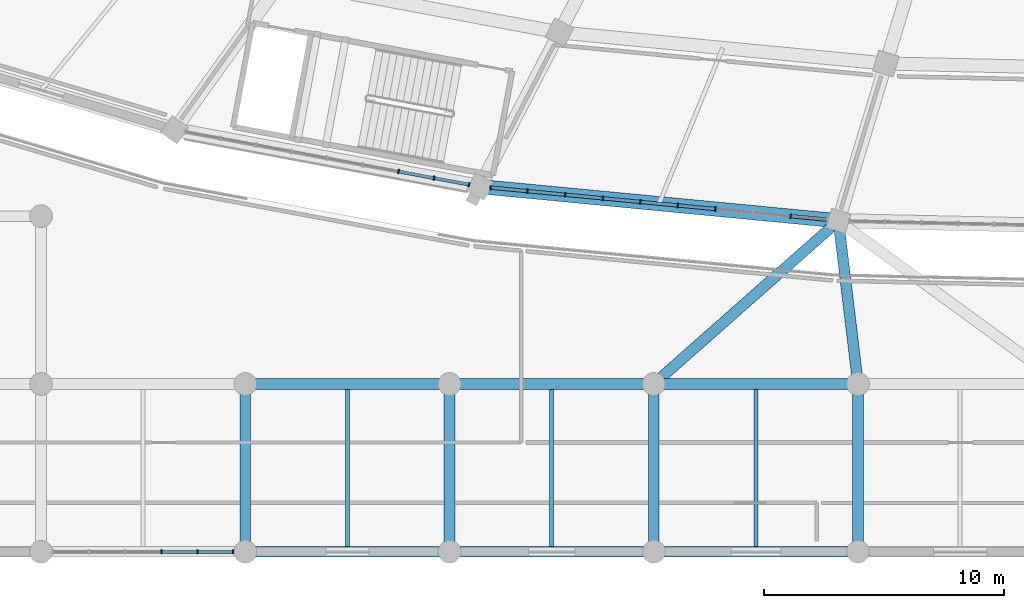
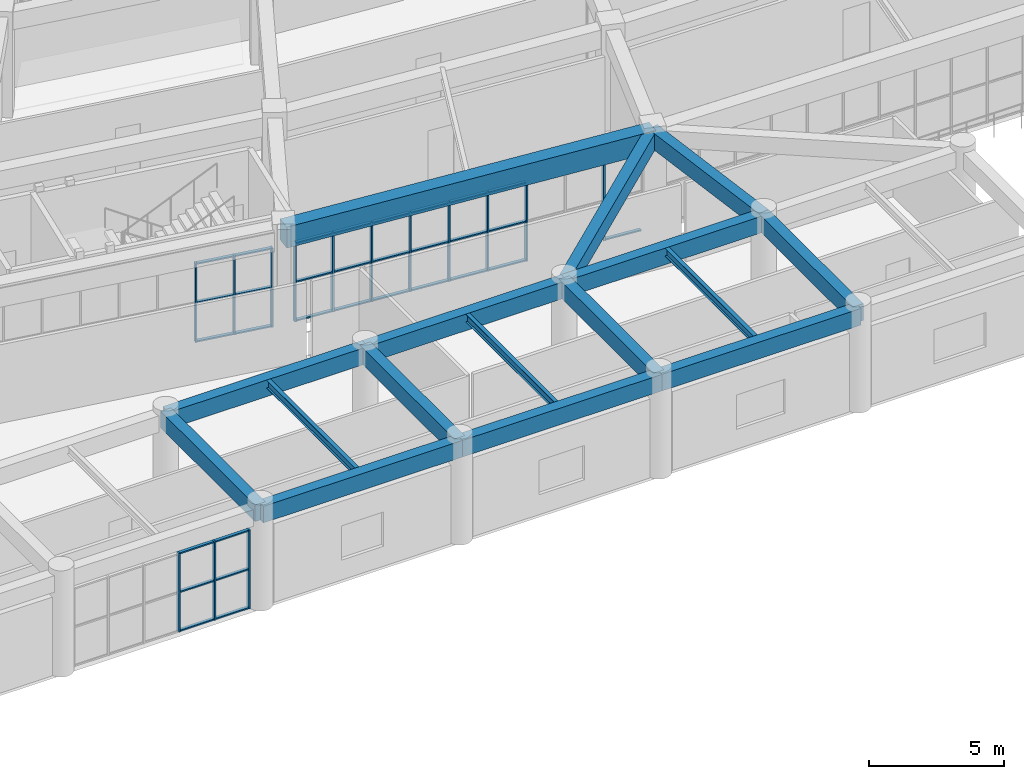
# One storey, part 21 of 152: 45 members, 16 beams, 3 elements without a shape of their own.
"""IFC4 building model written with IfcOpenShell, lengths in metres."""

import ifcopenshell
import ifcopenshell.guid

model = None  # the IFC model being written
_history = None  # IfcOwnerHistory: only IFC2X3 demands one
_inside = {}  # id of a spatial element -> (the spatial element, [elements in it])
_under = {}  # id of a project, library or spatial element -> (it, [spatial elements below it])
_declared = {}  # id of a project -> (the project, [libraries it declares])
_typed = {}  # id of a type object -> (the type object, [elements of that type])
_made_of = {}  # id of a material, layer set ... -> (it, [elements and type objects made of it])


def new_model(schema):
    """Start an empty IFC model of exactly this schema.

    Asked for "IFC4X3", IfcOpenShell would pick the latest addendum, in which some entities
    have other attributes; the version numbers below select the first issue.
    IFC2X3 requires an IfcOwnerHistory on every rooted entity: one is made here for all.
    """
    global model, _history
    if schema == "IFC4X3":
        model = ifcopenshell.file(schema_version=(4, 3, 0, 0))
    else:
        model = ifcopenshell.file(schema=schema)
    _inside.clear()
    _under.clear()
    _declared.clear()
    _typed.clear()
    _made_of.clear()
    _history = None
    if model.schema == "IFC2X3":
        org = make("IfcOrganization", Name="unknown")
        user = make(
            "IfcPersonAndOrganization",
            ThePerson=make("IfcPerson", FamilyName="unknown"),
            TheOrganization=org,
        )
        app = make(
            "IfcApplication",
            ApplicationDeveloper=org,
            Version="unknown",
            ApplicationFullName="unknown",
            ApplicationIdentifier="unknown",
        )
        _history = make(
            "IfcOwnerHistory",
            OwningUser=user,
            OwningApplication=app,
            ChangeAction="ADDED",
            CreationDate=0,
        )
    return model


def make(cls, **values):
    """One entity of the class cls with the attributes given. An attribute that is None is left unset."""
    return model.create_entity(
        cls, **{name: value for name, value in values.items() if value is not None}
    )


def rooted(cls, **values):
    """An entity with a GlobalId (a new one), such as an element, a storey or a relation."""
    return make(cls, GlobalId=ifcopenshell.guid.new(), OwnerHistory=_history, **values)


def si_unit(unit_type, name, prefix=None):
    """IfcSIUnit, for example si_unit("LENGTHUNIT", "METRE", prefix="MILLI")."""
    return make("IfcSIUnit", UnitType=unit_type, Prefix=prefix, Name=name)


def assignment(units):
    """IfcUnitAssignment: the units of a project."""
    return None if units is None else make("IfcUnitAssignment", Units=units)


def point(xyz):
    """IfcCartesianPoint."""
    return None if xyz is None else make("IfcCartesianPoint", Coordinates=xyz)


def direction(xyz):
    """IfcDirection."""
    return None if xyz is None else make("IfcDirection", DirectionRatios=xyz)


def frame(location, z_axis=None, x_axis=None):
    """IfcAxis2Placement3D, a coordinate frame: its origin and axes. An axis left out is left unset."""
    return make(
        "IfcAxis2Placement3D",
        Location=point(location),
        Axis=direction(z_axis),
        RefDirection=direction(x_axis),
    )


def frame_2d(location, x_axis=None):
    """IfcAxis2Placement2D, a coordinate frame in the plane: its origin and x axis."""
    return make(
        "IfcAxis2Placement2D", Location=point(location), RefDirection=direction(x_axis)
    )


def origin():
    """The frame at (0, 0, 0) with its axes left unset."""
    return frame((0.0, 0.0, 0.0))


def origin_2d():
    """The frame at (0, 0) in the plane with its x axis left unset."""
    return frame_2d((0.0, 0.0))


def place(relative_to, where):
    """IfcLocalPlacement: puts the frame where relative to a parent placement (None: the world)."""
    return make(
        "IfcLocalPlacement", PlacementRelTo=relative_to, RelativePlacement=where
    )


def context(
    kind, dimensions, precision=None, world=None, true_north=None, identifier=None
):
    """IfcGeometricRepresentationContext, for example the 3D "Model" context."""
    return make(
        "IfcGeometricRepresentationContext",
        ContextIdentifier=identifier,
        ContextType=kind,
        CoordinateSpaceDimension=dimensions,
        Precision=precision,
        WorldCoordinateSystem=world,
        TrueNorth=true_north,
    )


def subcontext(parent, identifier, kind, view, scale=None):
    """IfcGeometricRepresentationSubContext, for example "Body" below "Model"."""
    return make(
        "IfcGeometricRepresentationSubContext",
        ContextIdentifier=identifier,
        ContextType=kind,
        ParentContext=parent,
        TargetScale=scale,
        TargetView=view,
    )


def project(units=None, contexts=None):
    """IfcProject with its units and contexts."""
    return rooted(
        "IfcProject",
        Name="project",
        RepresentationContexts=contexts,
        UnitsInContext=assignment(units),
    )


def spatial(cls, under=None, at=None, **own):
    """A site, building, storey or space (cls), placed at a placement, below another one or the project."""
    s = rooted(cls, ObjectPlacement=at, **own)
    if under is not None:
        _under.setdefault(under.id(), (under, []))[1].append(s)
    return s


def profile(cls, at=None, kind="AREA", **sizes):
    """A parametric profile (cls). Its sizes go by their IFC names, for example OverallWidth=200.0."""
    return make(cls, ProfileType=kind, Position=at, **sizes)


def rectangle(**sizes):
    """IfcRectangleProfileDef."""
    return profile("IfcRectangleProfileDef", **sizes)


def i_section(**sizes):
    """IfcIShapeProfileDef."""
    return profile("IfcIShapeProfileDef", **sizes)


def extrude(swept, where, along, depth):
    """IfcExtrudedAreaSolid: the profile swept, set in the frame where, extruded along a direction by depth."""
    return make(
        "IfcExtrudedAreaSolid",
        SweptArea=swept,
        Position=where,
        ExtrudedDirection=direction(along),
        Depth=depth,
    )


def shape(context_of_items, identifier, shape_type, items):
    """IfcShapeRepresentation: the items that make up one representation, for example the "Body"."""
    return make(
        "IfcShapeRepresentation",
        ContextOfItems=context_of_items,
        RepresentationIdentifier=identifier,
        RepresentationType=shape_type,
        Items=items,
    )


def material(Name=None, Category=None):
    """IfcMaterial."""
    return make("IfcMaterial", Name=Name, Category=Category)


def layer(
    of_material, thickness, ventilated=None, Name=None, Category=None, Priority=None
):
    """IfcMaterialLayer: one layer of a wall or slab, of a material (None: an air gap)."""
    return make(
        "IfcMaterialLayer",
        Material=of_material,
        LayerThickness=thickness,
        IsVentilated=ventilated,
        Name=Name,
        Category=Category,
        Priority=Priority,
    )


def layer_set(layers, Name=None):
    """IfcMaterialLayerSet."""
    return make("IfcMaterialLayerSet", MaterialLayers=layers, LayerSetName=Name)


def material_profile(
    of_material, cross_section, Name=None, Category=None, Priority=None
):
    """IfcMaterialProfile: a cross section and its material."""
    return make(
        "IfcMaterialProfile",
        Name=Name,
        Material=of_material,
        Profile=cross_section,
        Priority=Priority,
        Category=Category,
    )


def profile_set(profiles, Name=None, composite=None):
    """IfcMaterialProfileSet."""
    return make(
        "IfcMaterialProfileSet",
        Name=Name,
        MaterialProfiles=profiles,
        CompositeProfile=composite,
    )


def made_of(thing, what):
    """Note that an element or type object is made of a material, layer set ...; save() writes the relation."""
    if what is not None:
        _made_of.setdefault(what.id(), (what, []))[1].append(thing)
    return thing


def type_object(cls, material=None, **own):
    """A type object (cls), such as IfcWallType, which elements share."""
    return made_of(rooted(cls, **own), material)


def element(
    cls,
    number,
    at=None,
    inside=None,
    cuts=None,
    type_object=None,
    material=None,
    context=None,
    identifier="Body",
    shape_type=None,
    held_by="IfcProductDefinitionShape",
    body=None,
    shapes=None,
    **own,
):
    """One element of the class cls, such as IfcWall. Its Tag is "e" and its number.

    at: its placement. inside: the storey or other place that contains it. cuts: it is an
    opening in that element (IfcRelVoidsElement). A single representation is given by context,
    identifier, shape_type and body (its items); several are given by shapes. held_by: the class
    of the entity that holds the representations. save() writes the other relations.
    """
    e = rooted(cls, Tag="e%d" % number, ObjectPlacement=at, **own)
    if body is not None:
        shapes = [shape(context, identifier, shape_type, body)]
    if shapes is not None:
        e.Representation = make(held_by, Representations=shapes)
    if inside is not None:
        _inside.setdefault(inside.id(), (inside, []))[1].append(e)
    if cuts is not None:
        rooted(
            "IfcRelVoidsElement", RelatingBuildingElement=cuts, RelatedOpeningElement=e
        )
    if type_object is not None:
        _typed.setdefault(type_object.id(), (type_object, []))[1].append(e)
    return made_of(e, material)


def aggregate(whole, parts):
    """IfcRelAggregates: a whole, such as a stair, and the parts it consists of."""
    return rooted("IfcRelAggregates", RelatingObject=whole, RelatedObjects=parts)


def save(model, path):
    """Write the relations noted so far, then the file.

    IfcRelAggregates (storeys below a building ...), IfcRelContainedInSpatialStructure (elements
    in a storey), IfcRelDefinesByType, IfcRelAssociatesMaterial and IfcRelDeclares: one each for
    every whole, place, type object, material and project.
    """
    for whole, parts in _under.values():
        aggregate(whole, parts)
    for where, things in _inside.values():
        rooted(
            "IfcRelContainedInSpatialStructure",
            RelatedElements=things,
            RelatingStructure=where,
        )
    for kind, things in _typed.values():
        rooted("IfcRelDefinesByType", RelatedObjects=things, RelatingType=kind)
    for what, things in _made_of.values():
        rooted("IfcRelAssociatesMaterial", RelatedObjects=things, RelatingMaterial=what)
    for by, libraries in _declared.values():
        rooted("IfcRelDeclares", RelatingContext=by, RelatedDefinitions=libraries)
    model.write(path)


model = new_model("IFC4")

# Units and contexts
model_context = context("Model", 3, precision=1e-05, world=origin(), true_north=direction((0.0, 1.0)))
body_context = subcontext(model_context, "Body", "Model", "MODEL_VIEW")
ifc_project = project(units=[si_unit("LENGTHUNIT", "METRE"), si_unit("AREAUNIT", "SQUARE_METRE"), si_unit("VOLUMEUNIT", "CUBIC_METRE"), si_unit("PLANEANGLEUNIT", "RADIAN"), si_unit("MASSUNIT", "GRAM", prefix="KILO")], contexts=[model_context])

# Site, building, storey
site_placement = place(None, origin())
site = spatial("IfcSite", under=ifc_project, at=site_placement, CompositionType="ELEMENT")
building_placement = place(site_placement, origin())
building = spatial("IfcBuilding", under=site, at=building_placement, Name="Mphavela Belvedere Stadium", CompositionType="ELEMENT")
storey_placement = place(building_placement, frame((0.0, 0.0, 5.39990234375)))
storey = spatial("IfcBuildingStorey", under=building, at=storey_placement, Name="L01", CompositionType="ELEMENT", Elevation=5.39990234375)

# Beams
ifc_material_1 = material(Name="Concrete C40/50", Category="concrete")
ifc_material_profile_1 = material_profile(ifc_material_1, rectangle(XDim=0.60009765625, YDim=0.949951171875, at=origin_2d()), Name="RC 600x950")
ifc_profile_set_1 = profile_set([ifc_material_profile_1], Name="Concrete C40/50")
beam_type_1 = type_object("IfcBeamType", Name="BM-ENTABLATURE-950", PredefinedType="SPANDREL", material=ifc_profile_set_1)
beam_1_placement = place(storey_placement, frame((77.92724609375, 15.232666015625, 4.0751953125), z_axis=(0.995483415661, -0.094935605244, 0.0), x_axis=(0.094935605244, 0.995483415661, 0.0)))
element("IfcBeam", 1, at=beam_1_placement, inside=storey, type_object=beam_type_1, Name="Circumferential girder L01 R4-35", PredefinedType="SPANDREL", context=body_context, shape_type="SweptSolid", body=[
    extrude(rectangle(XDim=0.60009765625, YDim=0.949951171875, at=origin_2d()), origin(), (0.0, 0.0, 1.0), 15.026123046875),
])
ifc_material_2 = material(Name="Steel S355", Category="steel")
ifc_material_profile_2 = material_profile(ifc_material_2, i_section(OverallWidth=0.169921875, OverallDepth=0.360107421875, WebThickness=0.008056640625, FlangeThickness=0.0126953125, at=origin_2d()), Name="IPE 360")
ifc_profile_set_2 = profile_set([ifc_material_profile_2], Name="Steel S355")
beam_type_2 = type_object("IfcBeamType", Name="BM-JOIST-IPE360", PredefinedType="JOIST", material=ifc_profile_set_2)
for number, where, z_axis, x_axis, name in (
    (2, (72.407470703125, 0.22509765625, 4.360107421875), (0.0, 1.0, 0.0), (-1.0, 0.0, 0.0), "South Axial Triumphal Peristyle Portico secondary joist L01 9-1"),
    (3, (80.926025390625, 0.22509765625, 4.360107421875), (0.0, 1.0, 0.0), (-1.0, 0.0, 0.0), "South Axial Triumphal Peristyle Portico secondary joist L01 10-1"),
    (4, (89.444580078125, 0.22509765625, 4.360107421875), (0.0, 1.0, 0.0), (-1.0, 0.0, 0.0), "South Axial Triumphal Peristyle Portico secondary joist L01 11-1"),
):
    element("IfcBeam", number, at=place(storey_placement, frame(where, z_axis=z_axis, x_axis=x_axis)), inside=storey, type_object=beam_type_2, Name=name, PredefinedType="JOIST", context=body_context, shape_type="SweptSolid", body=[
        extrude(i_section(OverallWidth=0.169921875, OverallDepth=0.360107421875, WebThickness=0.008056640625, FlangeThickness=0.0126953125, at=origin_2d()), origin(), (0.0, 0.0, 1.0), 6.5498046875),
    ])
ifc_material_3 = material(Name="Concrete C40/50", Category="concrete")
ifc_material_profile_3 = material_profile(ifc_material_3, rectangle(XDim=0.449951171875, YDim=0.75, at=origin_2d()), Name="RC 450x750")
ifc_profile_set_3 = profile_set([ifc_material_profile_3], Name="Concrete C40/50")
beam_type_3 = type_object("IfcBeamType", Name="BM-RC450x750", PredefinedType="BEAM", material=ifc_profile_set_3)
beam_2_placement = place(storey_placement, frame((68.14794921875, 0.0, 4.1650390625), z_axis=(1.0, 0.0, 0.0), x_axis=(0.0, 1.0, 0.0)))
element("IfcBeam", 5, at=beam_2_placement, inside=storey, type_object=beam_type_3, Name="South Axial Triumphal Peristyle Portico entablature beam X L01 9-1", PredefinedType="BEAM", context=body_context, shape_type="SweptSolid", body=[
    extrude(rectangle(XDim=0.449951171875, YDim=0.75, at=origin_2d()), origin(), (0.0, 0.0, 1.0), 8.51904296875),
])
beam_3_placement = place(storey_placement, frame((68.14794921875, 0.0, 4.1650390625), z_axis=(0.0, 1.0, 0.0), x_axis=(-1.0, 0.0, 0.0)))
element("IfcBeam", 6, at=beam_3_placement, inside=storey, type_object=beam_type_3, Name="South Axial Triumphal Peristyle Portico entablature beam Y L01 9-1", PredefinedType="BEAM", context=body_context, shape_type="SweptSolid", body=[
    extrude(rectangle(XDim=0.449951171875, YDim=0.75, at=origin_2d()), origin(), (0.0, 0.0, 1.0), 7.0),
])
beam_4_placement = place(storey_placement, frame((68.14794921875, 7.0, 4.1650390625), z_axis=(1.0, 0.0, 0.0), x_axis=(0.0, 1.0, 0.0)))
element("IfcBeam", 7, at=beam_4_placement, inside=storey, type_object=beam_type_3, Name="South Axial Triumphal Peristyle Portico entablature beam X L01 9-2", PredefinedType="BEAM", context=body_context, shape_type="SweptSolid", body=[
    extrude(rectangle(XDim=0.449951171875, YDim=0.75, at=origin_2d()), origin(), (0.0, 0.0, 1.0), 8.51904296875),
])
beam_5_placement = place(storey_placement, frame((76.6669921875, 0.0, 4.1650390625), z_axis=(1.0, 0.0, 0.0), x_axis=(0.0, 1.0, 0.0)))
element("IfcBeam", 8, at=beam_5_placement, inside=storey, type_object=beam_type_3, Name="South Axial Triumphal Peristyle Portico entablature beam X L01 10-1", PredefinedType="BEAM", context=body_context, shape_type="SweptSolid", body=[
    extrude(rectangle(XDim=0.449951171875, YDim=0.75, at=origin_2d()), origin(), (0.0, 0.0, 1.0), 8.51806640625),
])
beam_6_placement = place(storey_placement, frame((76.6669921875, 0.0, 4.1650390625), z_axis=(0.0, 1.0, 0.0), x_axis=(-1.0, 0.0, 0.0)))
element("IfcBeam", 9, at=beam_6_placement, inside=storey, type_object=beam_type_3, Name="South Axial Triumphal Peristyle Portico entablature beam Y L01 10-1", PredefinedType="BEAM", context=body_context, shape_type="SweptSolid", body=[
    extrude(rectangle(XDim=0.449951171875, YDim=0.75, at=origin_2d()), origin(), (0.0, 0.0, 1.0), 7.0),
])
beam_7_placement = place(storey_placement, frame((76.6669921875, 7.0, 4.1650390625), z_axis=(1.0, 0.0, 0.0), x_axis=(0.0, 1.0, 0.0)))
element("IfcBeam", 10, at=beam_7_placement, inside=storey, type_object=beam_type_3, Name="South Axial Triumphal Peristyle Portico entablature beam X L01 10-2", PredefinedType="BEAM", context=body_context, shape_type="SweptSolid", body=[
    extrude(rectangle(XDim=0.449951171875, YDim=0.75, at=origin_2d()), origin(), (0.0, 0.0, 1.0), 8.51806640625),
])
beam_8_placement = place(storey_placement, frame((85.18505859375, 0.0, 4.1650390625), z_axis=(1.0, 0.0, 0.0), x_axis=(0.0, 1.0, 0.0)))
element("IfcBeam", 11, at=beam_8_placement, inside=storey, type_object=beam_type_3, Name="South Axial Triumphal Peristyle Portico entablature beam X L01 11-1", PredefinedType="BEAM", context=body_context, shape_type="SweptSolid", body=[
    extrude(rectangle(XDim=0.449951171875, YDim=0.75, at=origin_2d()), origin(), (0.0, 0.0, 1.0), 8.51904296875),
])
beam_9_placement = place(storey_placement, frame((85.18505859375, 0.0, 4.1650390625), z_axis=(0.0, 1.0, 0.0), x_axis=(-1.0, 0.0, 0.0)))
element("IfcBeam", 12, at=beam_9_placement, inside=storey, type_object=beam_type_3, Name="South Axial Triumphal Peristyle Portico entablature beam Y L01 11-1", PredefinedType="BEAM", context=body_context, shape_type="SweptSolid", body=[
    extrude(rectangle(XDim=0.449951171875, YDim=0.75, at=origin_2d()), origin(), (0.0, 0.0, 1.0), 7.0),
])
beam_10_placement = place(storey_placement, frame((85.18505859375, 7.0, 4.1650390625), z_axis=(1.0, 0.0, 0.0), x_axis=(0.0, 1.0, 0.0)))
element("IfcBeam", 13, at=beam_10_placement, inside=storey, type_object=beam_type_3, Name="South Axial Triumphal Peristyle Portico entablature beam X L01 11-2", PredefinedType="BEAM", context=body_context, shape_type="SweptSolid", body=[
    extrude(rectangle(XDim=0.449951171875, YDim=0.75, at=origin_2d()), origin(), (0.0, 0.0, 1.0), 8.51904296875),
])
beam_11_placement = place(storey_placement, frame((93.7041015625, 0.0, 4.1650390625), z_axis=(0.0, 1.0, 0.0), x_axis=(-1.0, 0.0, 0.0)))
element("IfcBeam", 14, at=beam_11_placement, inside=storey, type_object=beam_type_3, Name="South Axial Triumphal Peristyle Portico entablature beam Y L01 12-1", PredefinedType="BEAM", context=body_context, shape_type="SweptSolid", body=[
    extrude(rectangle(XDim=0.449951171875, YDim=0.75, at=origin_2d()), origin(), (0.0, 0.0, 1.0), 7.0),
])
beam_12_placement = place(storey_placement, frame((93.7041015625, 7.0, 4.1650390625), z_axis=(-0.119413444072, 0.99284461492, 0.0), x_axis=(-0.99284461492, -0.119413444072, 0.0)))
element("IfcBeam", 15, at=beam_12_placement, inside=storey, type_object=beam_type_3, Name="South Axial Triumphal Peristyle Portico bowl link girder L01-3", PredefinedType="BEAM", context=body_context, shape_type="SweptSolid", body=[
    extrude(rectangle(XDim=0.449951171875, YDim=0.75, at=origin_2d()), origin(), (0.0, 0.0, 1.0), 6.855224609375),
])
beam_13_placement = place(storey_placement, frame((85.18505859375, 7.0, 4.1650390625), z_axis=(0.749275353375, 0.662258593621, 0.0), x_axis=(-0.662258593621, 0.749275353375, 0.0)))
element("IfcBeam", 16, at=beam_13_placement, inside=storey, type_object=beam_type_3, Name="South Axial Triumphal Peristyle Portico bowl link girder L01-5", PredefinedType="BEAM", context=body_context, shape_type="SweptSolid", body=[
    extrude(rectangle(XDim=0.449951171875, YDim=0.75, at=origin_2d()), origin(), (0.0, 0.0, 1.0), 10.277099609375),
])

# Curtain wall, members
ifc_material_4 = material(Name="Anodised bronze unitised curtain wall framing")
ifc_layer_1 = layer(ifc_material_4, 0.18505859375)
ifc_layer_set_1 = layer_set([ifc_layer_1], Name="Anodised bronze unitised curtain wall framing")
curtain_wall_type_1 = type_object("IfcCurtainWallType", Name="CW-UNIT-02", PredefinedType="USERDEFINED", material=ifc_layer_set_1)
curtain_wall_1_placement = place(storey_placement, origin())
curtain_wall_1 = element("IfcCurtainWall", 17, at=curtain_wall_1_placement, inside=storey, type_object=curtain_wall_type_1, Name="Belvedere colonnade curtain wall L01-34", ObjectType="UNITISED CURTAIN WALL", PredefinedType="USERDEFINED")
ifc_material_5 = material(Name="Anodised bronze extruded aluminium", Category="aluminium")
ifc_material_profile_4 = material_profile(ifc_material_5, rectangle(XDim=0.179931640625, YDim=0.06494140625, at=origin_2d()), Name="CW-MUL 180x65")
ifc_profile_set_4 = profile_set([ifc_material_profile_4], Name="Anodised bronze extruded aluminium")
member_type_1 = type_object("IfcMemberType", Name="CWM-180x65", PredefinedType="MULLION", material=ifc_profile_set_4)
member_1_placement = place(storey_placement, frame((74.537109375, 15.864013671875, 0.0), z_axis=(0.0, 0.0, 1.0), x_axis=(0.18309495886, 0.983095232437, 0.0)))
member_1 = element("IfcMember", 18, at=member_1_placement, type_object=member_type_1, Name="CW-02 mullion 7", PredefinedType="MULLION", context=body_context, shape_type="SweptSolid", body=[
    extrude(rectangle(XDim=0.179931640625, YDim=0.06494140625, at=origin_2d()), origin(), (0.0, 0.0, 1.0), 3.570068359375),
])
member_2_placement = place(storey_placement, frame((76.0244140625, 15.5869140625, 0.0), z_axis=(0.0, 0.0, 1.0), x_axis=(0.18309495886, 0.983095232437, 0.0)))
member_2 = element("IfcMember", 19, at=member_2_placement, type_object=member_type_1, Name="CW-02 mullion 8", PredefinedType="MULLION", context=body_context, shape_type="SweptSolid", body=[
    extrude(rectangle(XDim=0.179931640625, YDim=0.06494140625, at=origin_2d()), origin(), (0.0, 0.0, 1.0), 3.570068359375),
])
member_3_placement = place(storey_placement, frame((77.4794921875, 15.31591796875, 0.0), z_axis=(0.0, 0.0, 1.0), x_axis=(0.18309495886, 0.983095232437, 0.0)))
member_3 = element("IfcMember", 20, at=member_3_placement, type_object=member_type_1, Name="CW-02 mullion 9", PredefinedType="MULLION", context=body_context, shape_type="SweptSolid", body=[
    extrude(rectangle(XDim=0.179931640625, YDim=0.06494140625, at=origin_2d()), origin(), (0.0, 0.0, 1.0), 3.570068359375),
])

ifc_material_6 = material(Name="Anodised bronze unitised curtain wall framing")
ifc_layer_2 = layer(ifc_material_6, 0.18994140625)
ifc_layer_set_2 = layer_set([ifc_layer_2], Name="Anodised bronze unitised curtain wall framing")
curtain_wall_type_2 = type_object("IfcCurtainWallType", Name="CW-UNIT-03", PredefinedType="USERDEFINED", material=ifc_layer_set_2)
curtain_wall_2_placement = place(storey_placement, origin())
curtain_wall_2 = element("IfcCurtainWall", 21, at=curtain_wall_2_placement, inside=storey, type_object=curtain_wall_type_2, Name="Belvedere colonnade curtain wall L01-35", ObjectType="UNITISED CURTAIN WALL", PredefinedType="USERDEFINED")
member_4_placement = place(storey_placement, frame((78.380615234375, 15.189208984375, 0.0), z_axis=(0.0, 0.0, 1.0), x_axis=(0.094922243726, 0.99548468981, 0.0)))
member_4 = element("IfcMember", 22, at=member_4_placement, type_object=member_type_1, Name="CW-03 mullion 1", PredefinedType="MULLION", context=body_context, shape_type="SweptSolid", body=[
    extrude(rectangle(XDim=0.179931640625, YDim=0.06494140625, at=origin_2d()), origin(), (0.0, 0.0, 1.0), 3.570068359375),
])
member_5_placement = place(storey_placement, frame((79.916748046875, 15.042724609375, 0.0), z_axis=(0.0, 0.0, 1.0), x_axis=(0.094922243726, 0.99548468981, 0.0)))
member_5 = element("IfcMember", 23, at=member_5_placement, type_object=member_type_1, Name="CW-03 mullion 2", PredefinedType="MULLION", context=body_context, shape_type="SweptSolid", body=[
    extrude(rectangle(XDim=0.179931640625, YDim=0.06494140625, at=origin_2d()), origin(), (0.0, 0.0, 1.0), 3.570068359375),
])
member_6_placement = place(storey_placement, frame((81.485107421875, 14.893310546875, 0.0), z_axis=(0.0, 0.0, 1.0), x_axis=(0.094922243726, 0.99548468981, 0.0)))
member_6 = element("IfcMember", 24, at=member_6_placement, type_object=member_type_1, Name="CW-03 mullion 3", PredefinedType="MULLION", context=body_context, shape_type="SweptSolid", body=[
    extrude(rectangle(XDim=0.179931640625, YDim=0.06494140625, at=origin_2d()), origin(), (0.0, 0.0, 1.0), 3.570068359375),
])
member_7_placement = place(storey_placement, frame((83.0537109375, 14.74365234375, 0.0), z_axis=(0.0, 0.0, 1.0), x_axis=(0.094922243726, 0.99548468981, 0.0)))
member_7 = element("IfcMember", 25, at=member_7_placement, type_object=member_type_1, Name="CW-03 mullion 4", PredefinedType="MULLION", context=body_context, shape_type="SweptSolid", body=[
    extrude(rectangle(XDim=0.179931640625, YDim=0.06494140625, at=origin_2d()), origin(), (0.0, 0.0, 1.0), 3.570068359375),
])
member_8_placement = place(storey_placement, frame((84.6220703125, 14.59423828125, 0.0), z_axis=(0.0, 0.0, 1.0), x_axis=(0.094922243726, 0.99548468981, 0.0)))
member_8 = element("IfcMember", 26, at=member_8_placement, type_object=member_type_1, Name="CW-03 mullion 5", PredefinedType="MULLION", context=body_context, shape_type="SweptSolid", body=[
    extrude(rectangle(XDim=0.179931640625, YDim=0.06494140625, at=origin_2d()), origin(), (0.0, 0.0, 1.0), 3.570068359375),
])
member_9_placement = place(storey_placement, frame((86.1904296875, 14.444580078125, 0.0), z_axis=(0.0, 0.0, 1.0), x_axis=(0.094922243726, 0.99548468981, 0.0)))
member_9 = element("IfcMember", 27, at=member_9_placement, type_object=member_type_1, Name="CW-03 mullion 6", PredefinedType="MULLION", context=body_context, shape_type="SweptSolid", body=[
    extrude(rectangle(XDim=0.179931640625, YDim=0.06494140625, at=origin_2d()), origin(), (0.0, 0.0, 1.0), 3.570068359375),
])
member_10_placement = place(storey_placement, frame((87.759033203125, 14.295166015625, 0.0), z_axis=(0.0, 0.0, 1.0), x_axis=(0.094922243726, 0.99548468981, 0.0)))
member_10 = element("IfcMember", 28, at=member_10_placement, type_object=member_type_1, Name="CW-03 mullion 7", PredefinedType="MULLION", context=body_context, shape_type="SweptSolid", body=[
    extrude(rectangle(XDim=0.179931640625, YDim=0.06494140625, at=origin_2d()), origin(), (0.0, 0.0, 1.0), 3.570068359375),
])
member_11_placement = place(storey_placement, frame((90.895751953125, 13.995849609375, 0.0), z_axis=(0.0, 0.0, 1.0), x_axis=(0.094922243726, 0.99548468981, 0.0)))
member_11 = element("IfcMember", 29, at=member_11_placement, type_object=member_type_1, Name="CW-03 mullion 9", PredefinedType="MULLION", context=body_context, shape_type="SweptSolid", body=[
    extrude(rectangle(XDim=0.179931640625, YDim=0.06494140625, at=origin_2d()), origin(), (0.0, 0.0, 1.0), 3.570068359375),
])

ifc_material_7 = material(Name="Anodised bronze unitised curtain wall framing")
ifc_layer_3 = layer(ifc_material_7, 0.195068359375)
ifc_layer_set_3 = layer_set([ifc_layer_3], Name="Anodised bronze unitised curtain wall framing")
curtain_wall_type_3 = type_object("IfcCurtainWallType", Name="CW-UNIT-04", PredefinedType="USERDEFINED", material=ifc_layer_set_3)
curtain_wall_3_placement = place(storey_placement, origin())
curtain_wall_3 = element("IfcCurtainWall", 30, at=curtain_wall_3_placement, inside=storey, type_object=curtain_wall_type_3, Name="South Axial Triumphal Peristyle Portico gallery curtain wall L01-08", ObjectType="UNITISED CURTAIN WALL", PredefinedType="USERDEFINED")
member_12_placement = place(storey_placement, frame((67.642578125, 0.0, 0.0), z_axis=(0.0, 0.0, 1.0), x_axis=(0.0, -1.0, 0.0)))
member_12 = element("IfcMember", 31, at=member_12_placement, type_object=member_type_1, Name="CW-04 mullion 1", PredefinedType="MULLION", context=body_context, shape_type="SweptSolid", body=[
    extrude(rectangle(XDim=0.179931640625, YDim=0.06494140625, at=origin_2d()), origin(), (0.0, 0.0, 1.0), 3.56005859375),
])
member_13_placement = place(storey_placement, frame((66.16064453125, 0.0, 0.0), z_axis=(0.0, 0.0, 1.0), x_axis=(0.0, -1.0, 0.0)))
member_13 = element("IfcMember", 32, at=member_13_placement, type_object=member_type_1, Name="CW-04 mullion 2", PredefinedType="MULLION", context=body_context, shape_type="SweptSolid", body=[
    extrude(rectangle(XDim=0.179931640625, YDim=0.06494140625, at=origin_2d()), origin(), (0.0, 0.0, 1.0), 3.56005859375),
])
member_14_placement = place(storey_placement, frame((64.646240234375, 0.0, 0.0), z_axis=(0.0, 0.0, 1.0), x_axis=(0.0, -1.0, 0.0)))
member_14 = element("IfcMember", 33, at=member_14_placement, type_object=member_type_1, Name="CW-04 mullion 3", PredefinedType="MULLION", context=body_context, shape_type="SweptSolid", body=[
    extrude(rectangle(XDim=0.179931640625, YDim=0.06494140625, at=origin_2d()), origin(), (0.0, 0.0, 1.0), 3.56005859375),
])

# Member
ifc_material_8 = material(Name="Anodised bronze extruded aluminium", Category="aluminium")
ifc_material_profile_5 = material_profile(ifc_material_8, rectangle(XDim=0.139892578125, YDim=0.06005859375, at=origin_2d()), Name="CW-TRN 140x60")
ifc_profile_set_5 = profile_set([ifc_material_profile_5], Name="Anodised bronze extruded aluminium")
member_type_2 = type_object("IfcMemberType", Name="CWT-140x60", PredefinedType="USERDEFINED", material=ifc_profile_set_5)
member_15_placement = place(storey_placement, frame((74.569091796875, 15.85791015625, 0.030029296875), z_axis=(0.983119469828, -0.182964772687, 0.0), x_axis=(0.182964772687, 0.983119469828, 0.0)))
member_15 = element("IfcMember", 34, at=member_15_placement, type_object=member_type_2, Name="CW-02 transom 7.1", ObjectType="TRANSOM", PredefinedType="USERDEFINED", context=body_context, shape_type="SweptSolid", body=[
    extrude(rectangle(XDim=0.139892578125, YDim=0.06005859375, at=origin_2d()), origin(), (0.0, 0.0, 1.0), 1.44775390625),
])

member_16_placement = place(storey_placement, frame((74.569091796875, 15.85791015625, 1.78515625), z_axis=(0.983119469828, -0.182964772687, 0.0), x_axis=(0.182964772687, 0.983119469828, 0.0)))
member_16 = element("IfcMember", 35, at=member_16_placement, type_object=member_type_2, Name="CW-02 transom 7.2", ObjectType="TRANSOM", PredefinedType="USERDEFINED", context=body_context, shape_type="SweptSolid", body=[
    extrude(rectangle(XDim=0.139892578125, YDim=0.06005859375, at=origin_2d()), origin(), (0.0, 0.0, 1.0), 1.44775390625),
])

member_17_placement = place(storey_placement, frame((74.569091796875, 15.85791015625, 3.5400390625), z_axis=(0.983119469828, -0.182964772687, 0.0), x_axis=(0.182964772687, 0.983119469828, 0.0)))
member_17 = element("IfcMember", 36, at=member_17_placement, type_object=member_type_2, Name="CW-02 transom 7.3", ObjectType="TRANSOM", PredefinedType="USERDEFINED", context=body_context, shape_type="SweptSolid", body=[
    extrude(rectangle(XDim=0.139892578125, YDim=0.06005859375, at=origin_2d()), origin(), (0.0, 0.0, 1.0), 1.44775390625),
])

member_18_placement = place(storey_placement, frame((76.05615234375, 15.5810546875, 0.030029296875), z_axis=(0.983107678668, -0.183028118453, 0.0), x_axis=(0.183028118453, 0.983107678668, 0.0)))
member_18 = element("IfcMember", 37, at=member_18_placement, type_object=member_type_2, Name="CW-02 transom 8.1", ObjectType="TRANSOM", PredefinedType="USERDEFINED", context=body_context, shape_type="SweptSolid", body=[
    extrude(rectangle(XDim=0.139892578125, YDim=0.06005859375, at=origin_2d()), origin(), (0.0, 0.0, 1.0), 1.415283203125),
])

member_19_placement = place(storey_placement, frame((76.05615234375, 15.5810546875, 1.78515625), z_axis=(0.983107678668, -0.183028118453, 0.0), x_axis=(0.183028118453, 0.983107678668, 0.0)))
member_19 = element("IfcMember", 38, at=member_19_placement, type_object=member_type_2, Name="CW-02 transom 8.2", ObjectType="TRANSOM", PredefinedType="USERDEFINED", context=body_context, shape_type="SweptSolid", body=[
    extrude(rectangle(XDim=0.139892578125, YDim=0.06005859375, at=origin_2d()), origin(), (0.0, 0.0, 1.0), 1.415283203125),
])

member_20_placement = place(storey_placement, frame((76.05615234375, 15.5810546875, 3.5400390625), z_axis=(0.983107678668, -0.183028118453, 0.0), x_axis=(0.183028118453, 0.983107678668, 0.0)))
member_20 = element("IfcMember", 39, at=member_20_placement, type_object=member_type_2, Name="CW-02 transom 8.3", ObjectType="TRANSOM", PredefinedType="USERDEFINED", context=body_context, shape_type="SweptSolid", body=[
    extrude(rectangle(XDim=0.139892578125, YDim=0.06005859375, at=origin_2d()), origin(), (0.0, 0.0, 1.0), 1.415283203125),
])

aggregate(curtain_wall_1, [member_1, member_2, member_3, member_15, member_16, member_17, member_18, member_19, member_20])

member_21_placement = place(storey_placement, frame((78.4130859375, 15.186279296875, 0.030029296875), z_axis=(0.995478379881, -0.094988395027, 0.0), x_axis=(0.094988395027, 0.995478379881, 0.0)))
member_21 = element("IfcMember", 40, at=member_21_placement, type_object=member_type_2, Name="CW-03 transom 1.1", ObjectType="TRANSOM", PredefinedType="USERDEFINED", context=body_context, shape_type="SweptSolid", body=[
    extrude(rectangle(XDim=0.139892578125, YDim=0.06005859375, at=origin_2d()), origin(), (0.0, 0.0, 1.0), 1.477783203125),
])

member_22_placement = place(storey_placement, frame((78.4130859375, 15.186279296875, 1.78515625), z_axis=(0.995478379881, -0.094988395027, 0.0), x_axis=(0.094988395027, 0.995478379881, 0.0)))
member_22 = element("IfcMember", 41, at=member_22_placement, type_object=member_type_2, Name="CW-03 transom 1.2", ObjectType="TRANSOM", PredefinedType="USERDEFINED", context=body_context, shape_type="SweptSolid", body=[
    extrude(rectangle(XDim=0.139892578125, YDim=0.06005859375, at=origin_2d()), origin(), (0.0, 0.0, 1.0), 1.477783203125),
])

member_23_placement = place(storey_placement, frame((78.4130859375, 15.186279296875, 3.5400390625), z_axis=(0.995478379881, -0.094988395027, 0.0), x_axis=(0.094988395027, 0.995478379881, 0.0)))
member_23 = element("IfcMember", 42, at=member_23_placement, type_object=member_type_2, Name="CW-03 transom 1.3", ObjectType="TRANSOM", PredefinedType="USERDEFINED", context=body_context, shape_type="SweptSolid", body=[
    extrude(rectangle(XDim=0.139892578125, YDim=0.06005859375, at=origin_2d()), origin(), (0.0, 0.0, 1.0), 1.477783203125),
])

member_24_placement = place(storey_placement, frame((79.94921875, 15.039794921875, 0.030029296875), z_axis=(0.99548893232, -0.094877740424, 0.0), x_axis=(0.094877740424, 0.99548893232, 0.0)))
member_24 = element("IfcMember", 43, at=member_24_placement, type_object=member_type_2, Name="CW-03 transom 2.1", ObjectType="TRANSOM", PredefinedType="USERDEFINED", context=body_context, shape_type="SweptSolid", body=[
    extrude(rectangle(XDim=0.139892578125, YDim=0.06005859375, at=origin_2d()), origin(), (0.0, 0.0, 1.0), 1.510498046875),
])

member_25_placement = place(storey_placement, frame((79.94921875, 15.039794921875, 1.78515625), z_axis=(0.99548893232, -0.094877740424, 0.0), x_axis=(0.094877740424, 0.99548893232, 0.0)))
member_25 = element("IfcMember", 44, at=member_25_placement, type_object=member_type_2, Name="CW-03 transom 2.2", ObjectType="TRANSOM", PredefinedType="USERDEFINED", context=body_context, shape_type="SweptSolid", body=[
    extrude(rectangle(XDim=0.139892578125, YDim=0.06005859375, at=origin_2d()), origin(), (0.0, 0.0, 1.0), 1.510498046875),
])

member_26_placement = place(storey_placement, frame((79.94921875, 15.039794921875, 3.5400390625), z_axis=(0.99548893232, -0.094877740424, 0.0), x_axis=(0.094877740424, 0.99548893232, 0.0)))
member_26 = element("IfcMember", 45, at=member_26_placement, type_object=member_type_2, Name="CW-03 transom 2.3", ObjectType="TRANSOM", PredefinedType="USERDEFINED", context=body_context, shape_type="SweptSolid", body=[
    extrude(rectangle(XDim=0.139892578125, YDim=0.06005859375, at=origin_2d()), origin(), (0.0, 0.0, 1.0), 1.510498046875),
])

member_27_placement = place(storey_placement, frame((81.517578125, 14.89013671875, 0.030029296875), z_axis=(0.99548893232, -0.094877740424, 0.0), x_axis=(0.094877740424, 0.99548893232, 0.0)))
member_27 = element("IfcMember", 46, at=member_27_placement, type_object=member_type_2, Name="CW-03 transom 3.1", ObjectType="TRANSOM", PredefinedType="USERDEFINED", context=body_context, shape_type="SweptSolid", body=[
    extrude(rectangle(XDim=0.139892578125, YDim=0.06005859375, at=origin_2d()), origin(), (0.0, 0.0, 1.0), 1.510498046875),
])

member_28_placement = place(storey_placement, frame((81.517578125, 14.89013671875, 1.78515625), z_axis=(0.99548893232, -0.094877740424, 0.0), x_axis=(0.094877740424, 0.99548893232, 0.0)))
member_28 = element("IfcMember", 47, at=member_28_placement, type_object=member_type_2, Name="CW-03 transom 3.2", ObjectType="TRANSOM", PredefinedType="USERDEFINED", context=body_context, shape_type="SweptSolid", body=[
    extrude(rectangle(XDim=0.139892578125, YDim=0.06005859375, at=origin_2d()), origin(), (0.0, 0.0, 1.0), 1.510498046875),
])

member_29_placement = place(storey_placement, frame((81.517578125, 14.89013671875, 3.5400390625), z_axis=(0.99548893232, -0.094877740424, 0.0), x_axis=(0.094877740424, 0.99548893232, 0.0)))
member_29 = element("IfcMember", 48, at=member_29_placement, type_object=member_type_2, Name="CW-03 transom 3.3", ObjectType="TRANSOM", PredefinedType="USERDEFINED", context=body_context, shape_type="SweptSolid", body=[
    extrude(rectangle(XDim=0.139892578125, YDim=0.06005859375, at=origin_2d()), origin(), (0.0, 0.0, 1.0), 1.510498046875),
])

member_30_placement = place(storey_placement, frame((83.0859375, 14.74072265625, 0.030029296875), z_axis=(0.995475113122, -0.095022624434, 0.0), x_axis=(0.095022624434, 0.995475113122, 0.0)))
member_30 = element("IfcMember", 49, at=member_30_placement, type_object=member_type_2, Name="CW-03 transom 4.1", ObjectType="TRANSOM", PredefinedType="USERDEFINED", context=body_context, shape_type="SweptSolid", body=[
    extrude(rectangle(XDim=0.139892578125, YDim=0.06005859375, at=origin_2d()), origin(), (0.0, 0.0, 1.0), 1.5107421875),
])

member_31_placement = place(storey_placement, frame((83.0859375, 14.74072265625, 1.78515625), z_axis=(0.995475113122, -0.095022624434, 0.0), x_axis=(0.095022624434, 0.995475113122, 0.0)))
member_31 = element("IfcMember", 50, at=member_31_placement, type_object=member_type_2, Name="CW-03 transom 4.2", ObjectType="TRANSOM", PredefinedType="USERDEFINED", context=body_context, shape_type="SweptSolid", body=[
    extrude(rectangle(XDim=0.139892578125, YDim=0.06005859375, at=origin_2d()), origin(), (0.0, 0.0, 1.0), 1.5107421875),
])

member_32_placement = place(storey_placement, frame((83.0859375, 14.74072265625, 3.5400390625), z_axis=(0.995475113122, -0.095022624434, 0.0), x_axis=(0.095022624434, 0.995475113122, 0.0)))
member_32 = element("IfcMember", 51, at=member_32_placement, type_object=member_type_2, Name="CW-03 transom 4.3", ObjectType="TRANSOM", PredefinedType="USERDEFINED", context=body_context, shape_type="SweptSolid", body=[
    extrude(rectangle(XDim=0.139892578125, YDim=0.06005859375, at=origin_2d()), origin(), (0.0, 0.0, 1.0), 1.5107421875),
])

member_33_placement = place(storey_placement, frame((84.654541015625, 14.591064453125, 0.030029296875), z_axis=(0.99548893232, -0.094877740424, 0.0), x_axis=(0.094877740424, 0.99548893232, 0.0)))
member_33 = element("IfcMember", 52, at=member_33_placement, type_object=member_type_2, Name="CW-03 transom 5.1", ObjectType="TRANSOM", PredefinedType="USERDEFINED", context=body_context, shape_type="SweptSolid", body=[
    extrude(rectangle(XDim=0.139892578125, YDim=0.06005859375, at=origin_2d()), origin(), (0.0, 0.0, 1.0), 1.510498046875),
])

member_34_placement = place(storey_placement, frame((84.654541015625, 14.591064453125, 1.78515625), z_axis=(0.99548893232, -0.094877740424, 0.0), x_axis=(0.094877740424, 0.99548893232, 0.0)))
member_34 = element("IfcMember", 53, at=member_34_placement, type_object=member_type_2, Name="CW-03 transom 5.2", ObjectType="TRANSOM", PredefinedType="USERDEFINED", context=body_context, shape_type="SweptSolid", body=[
    extrude(rectangle(XDim=0.139892578125, YDim=0.06005859375, at=origin_2d()), origin(), (0.0, 0.0, 1.0), 1.510498046875),
])

member_35_placement = place(storey_placement, frame((84.654541015625, 14.591064453125, 3.5400390625), z_axis=(0.99548893232, -0.094877740424, 0.0), x_axis=(0.094877740424, 0.99548893232, 0.0)))
member_35 = element("IfcMember", 54, at=member_35_placement, type_object=member_type_2, Name="CW-03 transom 5.3", ObjectType="TRANSOM", PredefinedType="USERDEFINED", context=body_context, shape_type="SweptSolid", body=[
    extrude(rectangle(XDim=0.139892578125, YDim=0.06005859375, at=origin_2d()), origin(), (0.0, 0.0, 1.0), 1.510498046875),
])

member_36_placement = place(storey_placement, frame((86.222900390625, 14.441650390625, 0.030029296875), z_axis=(0.995473653607, -0.09503791335, 0.0), x_axis=(0.09503791335, 0.995473653607, 0.0)))
member_36 = element("IfcMember", 55, at=member_36_placement, type_object=member_type_2, Name="CW-03 transom 6.1", ObjectType="TRANSOM", PredefinedType="USERDEFINED", context=body_context, shape_type="SweptSolid", body=[
    extrude(rectangle(XDim=0.139892578125, YDim=0.06005859375, at=origin_2d()), origin(), (0.0, 0.0, 1.0), 1.510498046875),
])

member_37_placement = place(storey_placement, frame((86.222900390625, 14.441650390625, 1.78515625), z_axis=(0.995473653607, -0.09503791335, 0.0), x_axis=(0.09503791335, 0.995473653607, 0.0)))
member_37 = element("IfcMember", 56, at=member_37_placement, type_object=member_type_2, Name="CW-03 transom 6.2", ObjectType="TRANSOM", PredefinedType="USERDEFINED", context=body_context, shape_type="SweptSolid", body=[
    extrude(rectangle(XDim=0.139892578125, YDim=0.06005859375, at=origin_2d()), origin(), (0.0, 0.0, 1.0), 1.510498046875),
])

member_38_placement = place(storey_placement, frame((86.222900390625, 14.441650390625, 3.5400390625), z_axis=(0.995473653607, -0.09503791335, 0.0), x_axis=(0.09503791335, 0.995473653607, 0.0)))
member_38 = element("IfcMember", 57, at=member_38_placement, type_object=member_type_2, Name="CW-03 transom 6.3", ObjectType="TRANSOM", PredefinedType="USERDEFINED", context=body_context, shape_type="SweptSolid", body=[
    extrude(rectangle(XDim=0.139892578125, YDim=0.06005859375, at=origin_2d()), origin(), (0.0, 0.0, 1.0), 1.510498046875),
])

member_39_placement = place(storey_placement, frame((90.92822265625, 13.992919921875, 0.030029296875), z_axis=(0.995479870054, -0.094972776718, 0.0), x_axis=(0.094972776718, 0.995479870054, 0.0)))
member_39 = element("IfcMember", 58, at=member_39_placement, type_object=member_type_2, Name="CW-03 transom 9.1", ObjectType="TRANSOM", PredefinedType="USERDEFINED", context=body_context, shape_type="SweptSolid", body=[
    extrude(rectangle(XDim=0.139892578125, YDim=0.06005859375, at=origin_2d()), origin(), (0.0, 0.0, 1.0), 1.47802734375),
])

aggregate(curtain_wall_2, [member_4, member_5, member_6, member_7, member_8, member_9, member_10, member_11, member_21, member_22, member_23, member_24, member_25, member_26, member_27, member_28, member_29, member_30, member_31, member_32, member_33, member_34, member_35, member_36, member_37, member_38, member_39])

member_40_placement = place(storey_placement, frame((67.610107421875, 0.0, 0.030029296875), z_axis=(-1.0, 0.0, 0.0), x_axis=(0.0, -1.0, 0.0)))
member_40 = element("IfcMember", 59, at=member_40_placement, type_object=member_type_2, Name="CW-04 transom 1.1", ObjectType="TRANSOM", PredefinedType="USERDEFINED", context=body_context, shape_type="SweptSolid", body=[
    extrude(rectangle(XDim=0.139892578125, YDim=0.06005859375, at=origin_2d()), origin(), (0.0, 0.0, 1.0), 1.4169921875),
])

member_41_placement = place(storey_placement, frame((67.610107421875, 0.0, 1.780029296875), z_axis=(-1.0, 0.0, 0.0), x_axis=(0.0, -1.0, 0.0)))
member_41 = element("IfcMember", 60, at=member_41_placement, type_object=member_type_2, Name="CW-04 transom 1.2", ObjectType="TRANSOM", PredefinedType="USERDEFINED", context=body_context, shape_type="SweptSolid", body=[
    extrude(rectangle(XDim=0.139892578125, YDim=0.06005859375, at=origin_2d()), origin(), (0.0, 0.0, 1.0), 1.4169921875),
])

member_42_placement = place(storey_placement, frame((67.610107421875, 0.0, 3.530029296875), z_axis=(-1.0, 0.0, 0.0), x_axis=(0.0, -1.0, 0.0)))
member_42 = element("IfcMember", 61, at=member_42_placement, type_object=member_type_2, Name="CW-04 transom 1.3", ObjectType="TRANSOM", PredefinedType="USERDEFINED", context=body_context, shape_type="SweptSolid", body=[
    extrude(rectangle(XDim=0.139892578125, YDim=0.06005859375, at=origin_2d()), origin(), (0.0, 0.0, 1.0), 1.4169921875),
])

member_43_placement = place(storey_placement, frame((66.128173828125, 0.0, 0.030029296875), z_axis=(-1.0, 0.0, 0.0), x_axis=(0.0, -1.0, 0.0)))
member_43 = element("IfcMember", 62, at=member_43_placement, type_object=member_type_2, Name="CW-04 transom 2.1", ObjectType="TRANSOM", PredefinedType="USERDEFINED", context=body_context, shape_type="SweptSolid", body=[
    extrude(rectangle(XDim=0.139892578125, YDim=0.06005859375, at=origin_2d()), origin(), (0.0, 0.0, 1.0), 1.449462890625),
])

member_44_placement = place(storey_placement, frame((66.128173828125, 0.0, 1.780029296875), z_axis=(-1.0, 0.0, 0.0), x_axis=(0.0, -1.0, 0.0)))
member_44 = element("IfcMember", 63, at=member_44_placement, type_object=member_type_2, Name="CW-04 transom 2.2", ObjectType="TRANSOM", PredefinedType="USERDEFINED", context=body_context, shape_type="SweptSolid", body=[
    extrude(rectangle(XDim=0.139892578125, YDim=0.06005859375, at=origin_2d()), origin(), (0.0, 0.0, 1.0), 1.449462890625),
])

member_45_placement = place(storey_placement, frame((66.128173828125, 0.0, 3.530029296875), z_axis=(-1.0, 0.0, 0.0), x_axis=(0.0, -1.0, 0.0)))
member_45 = element("IfcMember", 64, at=member_45_placement, type_object=member_type_2, Name="CW-04 transom 2.3", ObjectType="TRANSOM", PredefinedType="USERDEFINED", context=body_context, shape_type="SweptSolid", body=[
    extrude(rectangle(XDim=0.139892578125, YDim=0.06005859375, at=origin_2d()), origin(), (0.0, 0.0, 1.0), 1.449462890625),
])

aggregate(curtain_wall_3, [member_12, member_13, member_14, member_40, member_41, member_42, member_43, member_44, member_45])

save(model, "model.ifc")
